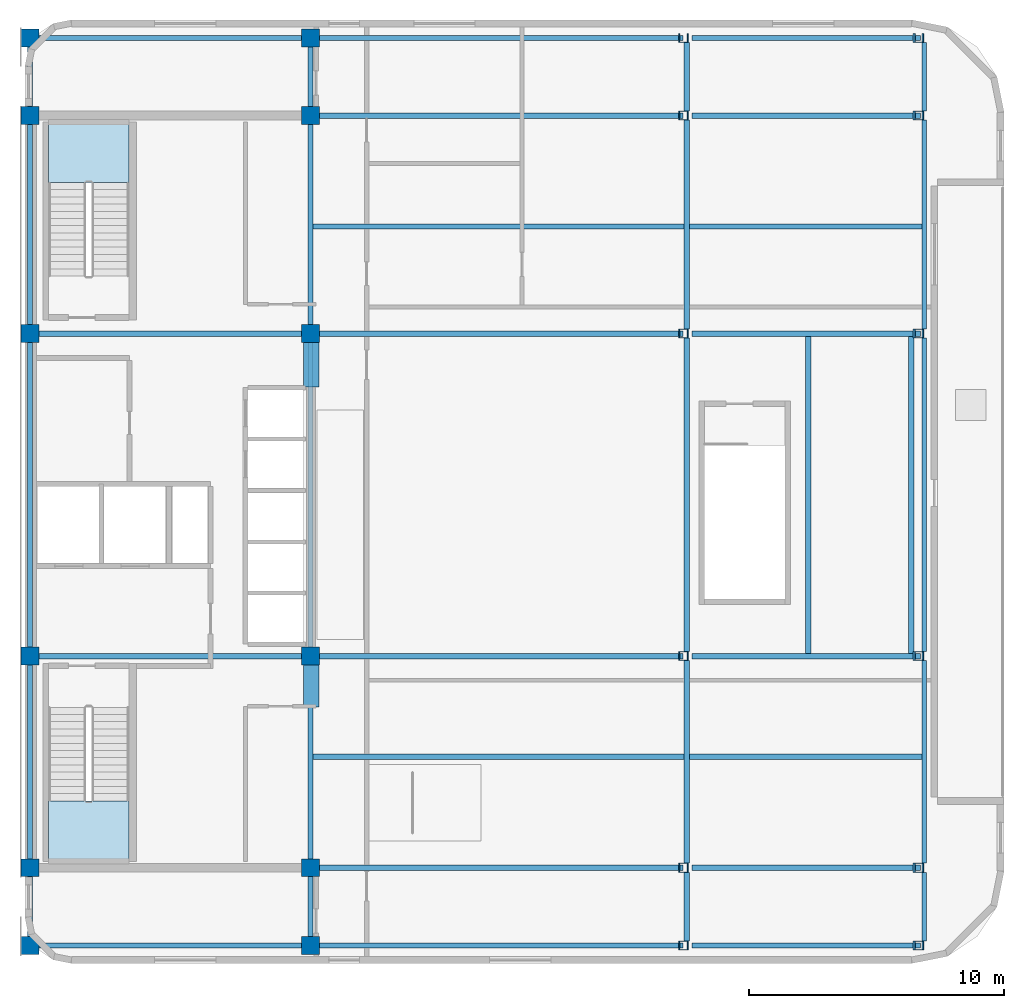
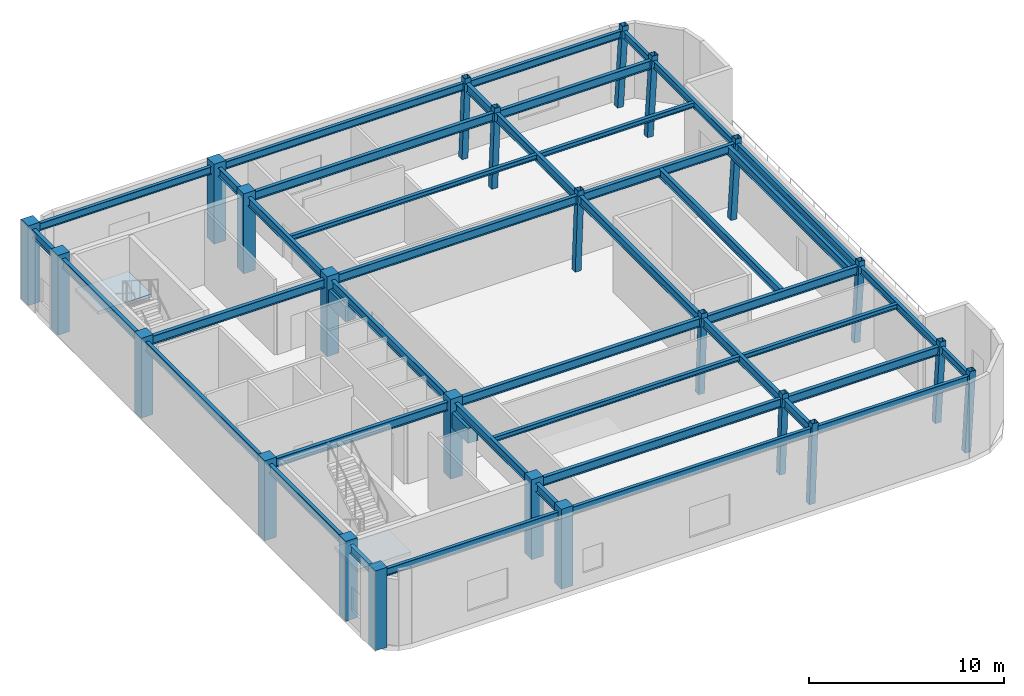
# One storey, part 1 of 6: 44 beams, 24 columns, 2 slabs, 2 elements without a shape of their own.
"""IFC4 building model written with IfcOpenShell, lengths in metres."""

from ifc_helpers import new_model, si_unit, direction, frame, origin, origin_2d, place, context, subcontext, project, spatial, polyline, rectangle, hollow_rectangle, i_section, outline, extrude, material, layer, layer_set, material_profile, profile_set, type_object, element, aggregate, save


model = new_model("IFC4")

# Units and contexts
model_context = context("Model", 3, precision=1e-05, world=origin(), true_north=direction((0.0, 1.0)))
body_context = subcontext(model_context, "Body", "Model", "MODEL_VIEW")
ifc_project = project(units=[si_unit("LENGTHUNIT", "METRE"), si_unit("AREAUNIT", "SQUARE_METRE"), si_unit("VOLUMEUNIT", "CUBIC_METRE"), si_unit("PLANEANGLEUNIT", "RADIAN"), si_unit("MASSUNIT", "GRAM", prefix="KILO")], contexts=[model_context])

# Site, building, storey
site_placement = place(None, origin())
site = spatial("IfcSite", under=ifc_project, at=site_placement, CompositionType="ELEMENT")
building_placement = place(site_placement, origin())
building = spatial("IfcBuilding", under=site, at=building_placement, Name="Ochreholt Gables", CompositionType="ELEMENT")
storey_placement = place(building_placement, frame((0.0, 0.0, 282.0)))
storey = spatial("IfcBuildingStorey", under=building, at=storey_placement, Name="L74", CompositionType="ELEMENT", Elevation=282.0)

# Columns
ifc_material_1 = material(Name="Steel CSA G40.21 350W", Category="steel")
ifc_material_profile_1 = material_profile(ifc_material_1, hollow_rectangle(XDim=0.35595703125, YDim=0.35595703125, WallThickness=0.01611328125, at=origin_2d()), Name="HSS356X356X16")
ifc_profile_set_1 = profile_set([ifc_material_profile_1], Name="Steel CSA G40.21 350W")
column_type_1 = type_object("IfcColumnType", Name="COL-HSS356-RAK", PredefinedType="COLUMN", material=ifc_profile_set_1)
for number, where, z_axis, x_axis, name in (
    (1, (49.805908203125, 9.25, 0.0), (0.034988329879, 0.0, 0.999387720943), (0.0, 1.0, 0.0), "L74 Column EMY2"),
    (2, (49.805908203125, 17.550048828125, 0.0), (0.034988329879, 0.0, 0.999387720943), (0.0, 1.0, 0.0), "L74 Column EMY3"),
    (3, (49.805908203125, 30.199951171875, 0.0), (0.034988329879, 0.0, 0.999387720943), (0.0, 1.0, 0.0), "L74 Column EMY4"),
    (4, (49.805908203125, 38.75, 0.0), (0.034988329879, 0.0, 0.999387720943), (0.0, 1.0, 0.0), "L74 Column EMY5"),
):
    element("IfcColumn", number, at=place(storey_placement, frame(where, z_axis=z_axis, x_axis=x_axis)), inside=storey, type_object=column_type_1, Name=name, PredefinedType="COLUMN", context=body_context, shape_type="SweptSolid", body=[
        extrude(hollow_rectangle(XDim=0.35595703125, YDim=0.35595703125, WallThickness=0.01611328125, at=origin_2d()), origin(), (0.0, 0.0, 1.0), 5.003173828125),
    ])
ifc_material_profile_2 = material_profile(ifc_material_1, hollow_rectangle(XDim=0.35595703125, YDim=0.35595703125, WallThickness=0.01611328125, at=origin_2d()), Name="HSS356X356X16")
ifc_profile_set_2 = profile_set([ifc_material_profile_2], Name="Steel CSA G40.21 350W")
column_type_2 = type_object("IfcColumnType", Name="COL-HSS356-RAKE", PredefinedType="COLUMN", material=ifc_profile_set_2)
for number, where, z_axis, x_axis, name in (
    (5, (49.805908203125, 6.199951171875, 0.0), (0.034988329879, 0.0, 0.999387720943), (0.0, 1.0, 0.0), "L74 Column EMY1"),
    (6, (49.805908203125, 41.800048828125, 0.0), (0.034988329879, 0.0, 0.999387720943), (0.0, 1.0, 0.0), "L74 Column EMY6"),
):
    element("IfcColumn", number, at=place(storey_placement, frame(where, z_axis=z_axis, x_axis=x_axis)), inside=storey, type_object=column_type_2, Name=name, PredefinedType="COLUMN", context=body_context, shape_type="SweptSolid", body=[
        extrude(hollow_rectangle(XDim=0.35595703125, YDim=0.35595703125, WallThickness=0.01611328125, at=origin_2d()), origin(), (0.0, 0.0, 1.0), 5.003173828125),
    ])
for number, where, z_axis, x_axis, name in (
    (7, (59.0126953125, 6.199951171875, 0.0), (0.057910462684, 0.0, 0.998321780946), (0.0, 1.0, 0.0), "L74 Column EEY1"),
    (8, (59.0126953125, 9.25, 0.0), (0.057910462684, 0.0, 0.998321780946), (0.0, 1.0, 0.0), "L74 Column EEY2"),
    (9, (59.0126953125, 17.550048828125, 0.0), (0.057910462684, 0.0, 0.998321780946), (0.0, 1.0, 0.0), "L74 Column EEY3"),
    (10, (59.0126953125, 30.199951171875, 0.0), (0.057910462684, 0.0, 0.998321780946), (0.0, 1.0, 0.0), "L74 Column EEY4"),
    (11, (59.0126953125, 38.75, 0.0), (0.057910462684, 0.0, 0.998321780946), (0.0, 1.0, 0.0), "L74 Column EEY5"),
    (12, (59.0126953125, 41.800048828125, 0.0), (0.057910462684, 0.0, 0.998321780946), (0.0, 1.0, 0.0), "L74 Column EEY6"),
):
    element("IfcColumn", number, at=place(storey_placement, frame(where, z_axis=z_axis, x_axis=x_axis)), inside=storey, type_object=column_type_2, Name=name, PredefinedType="COLUMN", context=body_context, shape_type="SweptSolid", body=[
        extrude(hollow_rectangle(XDim=0.35595703125, YDim=0.35595703125, WallThickness=0.01611328125, at=origin_2d()), origin(), (0.0, 0.0, 1.0), 5.00830078125),
    ])
ifc_material_2 = material(Name="Concrete 50 MPa", Category="concrete")
ifc_material_profile_3 = material_profile(ifc_material_2, rectangle(XDim=0.699951171875, YDim=0.699951171875, at=origin_2d()), Name="RC700X700")
ifc_profile_set_3 = profile_set([ifc_material_profile_3], Name="Concrete 50 MPa")
column_type_3 = type_object("IfcColumnType", Name="COL-RC700-EXT", PredefinedType="COLUMN", material=ifc_profile_set_3)
for number, where, z_axis, x_axis, name in (
    (13, (24.199951171875, 6.199951171875, 0.0), (0.0, 0.0, 1.0), (1.0, 0.0, 0.0), "L74 Column C1Y1"),
    (14, (24.199951171875, 9.25, 0.0), (0.0, 0.0, 1.0), (1.0, 0.0, 0.0), "L74 Column C1Y2"),
    (15, (24.199951171875, 17.550048828125, 0.0), (0.0, 0.0, 1.0), (1.0, 0.0, 0.0), "L74 Column C1Y3"),
    (16, (24.199951171875, 30.199951171875, 0.0), (0.0, 0.0, 1.0), (1.0, 0.0, 0.0), "L74 Column C1Y4"),
    (17, (24.199951171875, 38.75, 0.0), (0.0, 0.0, 1.0), (1.0, 0.0, 0.0), "L74 Column C1Y5"),
    (18, (24.199951171875, 41.800048828125, 0.0), (0.0, 0.0, 1.0), (1.0, 0.0, 0.0), "L74 Column C1Y6"),
    (19, (35.199951171875, 6.199951171875, 0.0), (0.0, 0.0, 1.0), (1.0, 0.0, 0.0), "L74 Column C2Y1"),
    (20, (35.199951171875, 41.800048828125, 0.0), (0.0, 0.0, 1.0), (1.0, 0.0, 0.0), "L74 Column C2Y6"),
):
    element("IfcColumn", number, at=place(storey_placement, frame(where, z_axis=z_axis, x_axis=x_axis)), inside=storey, type_object=column_type_3, Name=name, PredefinedType="COLUMN", context=body_context, shape_type="SweptSolid", body=[
        extrude(rectangle(XDim=0.699951171875, YDim=0.699951171875, at=origin_2d()), origin(), (0.0, 0.0, 1.0), 5.0),
    ])
ifc_material_profile_4 = material_profile(ifc_material_2, rectangle(XDim=0.699951171875, YDim=0.699951171875, at=origin_2d()), Name="RC700X700")
ifc_profile_set_4 = profile_set([ifc_material_profile_4], Name="Concrete 50 MPa")
column_type_4 = type_object("IfcColumnType", Name="COL-RC700-INT", PredefinedType="COLUMN", material=ifc_profile_set_4)
for number, where, z_axis, x_axis, name in (
    (21, (35.199951171875, 9.25, 0.0), (0.0, 0.0, 1.0), (1.0, 0.0, 0.0), "L74 Column C2Y2"),
    (22, (35.199951171875, 17.550048828125, 0.0), (0.0, 0.0, 1.0), (1.0, 0.0, 0.0), "L74 Column C2Y3"),
    (23, (35.199951171875, 30.199951171875, 0.0), (0.0, 0.0, 1.0), (1.0, 0.0, 0.0), "L74 Column C2Y4"),
    (24, (35.199951171875, 38.75, 0.0), (0.0, 0.0, 1.0), (1.0, 0.0, 0.0), "L74 Column C2Y5"),
):
    element("IfcColumn", number, at=place(storey_placement, frame(where, z_axis=z_axis, x_axis=x_axis)), inside=storey, type_object=column_type_4, Name=name, PredefinedType="COLUMN", context=body_context, shape_type="SweptSolid", body=[
        extrude(rectangle(XDim=0.699951171875, YDim=0.699951171875, at=origin_2d()), origin(), (0.0, 0.0, 1.0), 5.0),
    ])

# Beams
ifc_material_3 = material(Name="Concrete 60 MPa", Category="concrete")
ifc_material_profile_5 = material_profile(ifc_material_3, rectangle(XDim=0.60009765625, YDim=0.949951171875, at=origin_2d()), Name="RCB600X950")
ifc_profile_set_5 = profile_set([ifc_material_profile_5], Name="Concrete 60 MPa")
beam_type_1 = type_object("IfcBeamType", Name="BM-CPL-RC600", PredefinedType="LINTEL", material=ifc_profile_set_5)
beam_1_placement = place(storey_placement, frame((35.22509765625, 15.550048828125, 3.68603515625), z_axis=(0.0, 1.0, 0.0), x_axis=(-1.0, 0.0, 0.0)))
element("IfcBeam", 25, at=beam_1_placement, inside=storey, type_object=beam_type_1, Name="L74 Core Coupling Lintel CPS", PredefinedType="LINTEL", context=body_context, shape_type="SweptSolid", body=[
    extrude(rectangle(XDim=0.60009765625, YDim=0.949951171875, at=origin_2d()), origin(), (0.0, 0.0, 1.0), 1.64990234375),
])
beam_2_placement = place(storey_placement, frame((35.22509765625, 28.10009765625, 3.68603515625), z_axis=(0.0, 1.0, 0.0), x_axis=(-1.0, 0.0, 0.0)))
element("IfcBeam", 26, at=beam_2_placement, inside=storey, type_object=beam_type_1, Name="L74 Core Coupling Lintel CPN", PredefinedType="LINTEL", context=body_context, shape_type="SweptSolid", body=[
    extrude(rectangle(XDim=0.60009765625, YDim=0.949951171875, at=origin_2d()), origin(), (0.0, 0.0, 1.0), 1.75),
])
ifc_material_profile_6 = material_profile(ifc_material_1, i_section(OverallWidth=0.2109375, OverallDepth=0.5390625, WebThickness=0.01171875, FlangeThickness=0.018798828125, at=origin_2d()), Name="W530X109")
ifc_profile_set_6 = profile_set([ifc_material_profile_6], Name="Steel CSA G40.21 350W")
beam_type_2 = type_object("IfcBeamType", Name="BM-G-W530A", PredefinedType="BEAM", material=ifc_profile_set_6)
beam_3_placement = place(storey_placement, frame((35.549560546875, 9.25, 4.430419921875), z_axis=(1.0, 0.0, 0.0), x_axis=(0.0, 1.0, 0.0)))
element("IfcBeam", 27, at=beam_3_placement, inside=storey, type_object=beam_type_2, Name="L74 Beam TBG-L74-C2EM-Y2", PredefinedType="BEAM", context=body_context, shape_type="SweptSolid", body=[
    extrude(i_section(OverallWidth=0.2109375, OverallDepth=0.5390625, WebThickness=0.01171875, FlangeThickness=0.018798828125, at=origin_2d()), origin(), (0.0, 0.0, 1.0), 14.25390625),
])
beam_4_placement = place(storey_placement, frame((50.15869140625, 9.25, 4.430419921875), z_axis=(1.0, 0.0, 0.0), x_axis=(0.0, 1.0, 0.0)))
element("IfcBeam", 28, at=beam_4_placement, inside=storey, type_object=beam_type_2, Name="L74 Beam TBG-L74-EMEE-Y2", PredefinedType="BEAM", context=body_context, shape_type="SweptSolid", body=[
    extrude(i_section(OverallWidth=0.2109375, OverallDepth=0.5390625, WebThickness=0.01171875, FlangeThickness=0.018798828125, at=origin_2d()), origin(), (0.0, 0.0, 1.0), 8.966552734375),
])
beam_5_placement = place(storey_placement, frame((24.549560546875, 17.550048828125, 4.430419921875), z_axis=(1.0, 0.0, 0.0), x_axis=(0.0, 1.0, 0.0)))
element("IfcBeam", 29, at=beam_5_placement, inside=storey, type_object=beam_type_2, Name="L74 Beam TBG-L74-C1C2-Y3", PredefinedType="BEAM", context=body_context, shape_type="SweptSolid", body=[
    extrude(i_section(OverallWidth=0.2109375, OverallDepth=0.5390625, WebThickness=0.01171875, FlangeThickness=0.018798828125, at=origin_2d()), origin(), (0.0, 0.0, 1.0), 10.30078125),
])
beam_6_placement = place(storey_placement, frame((35.549560546875, 17.550048828125, 4.430419921875), z_axis=(1.0, 0.0, 0.0), x_axis=(0.0, 1.0, 0.0)))
element("IfcBeam", 30, at=beam_6_placement, inside=storey, type_object=beam_type_2, Name="L74 Beam TBG-L74-C2EM-Y3", PredefinedType="BEAM", context=body_context, shape_type="SweptSolid", body=[
    extrude(i_section(OverallWidth=0.2109375, OverallDepth=0.5390625, WebThickness=0.01171875, FlangeThickness=0.018798828125, at=origin_2d()), origin(), (0.0, 0.0, 1.0), 14.25390625),
])
beam_7_placement = place(storey_placement, frame((50.15869140625, 17.550048828125, 4.430419921875), z_axis=(1.0, 0.0, 0.0), x_axis=(0.0, 1.0, 0.0)))
element("IfcBeam", 31, at=beam_7_placement, inside=storey, type_object=beam_type_2, Name="L74 Beam TBG-L74-EMEE-Y3", PredefinedType="BEAM", context=body_context, shape_type="SweptSolid", body=[
    extrude(i_section(OverallWidth=0.2109375, OverallDepth=0.5390625, WebThickness=0.01171875, FlangeThickness=0.018798828125, at=origin_2d()), origin(), (0.0, 0.0, 1.0), 8.966552734375),
])
beam_8_placement = place(storey_placement, frame((24.549560546875, 30.199951171875, 4.430419921875), z_axis=(1.0, 0.0, 0.0), x_axis=(0.0, 1.0, 0.0)))
element("IfcBeam", 32, at=beam_8_placement, inside=storey, type_object=beam_type_2, Name="L74 Beam TBG-L74-C1C2-Y4", PredefinedType="BEAM", context=body_context, shape_type="SweptSolid", body=[
    extrude(i_section(OverallWidth=0.2109375, OverallDepth=0.5390625, WebThickness=0.01171875, FlangeThickness=0.018798828125, at=origin_2d()), origin(), (0.0, 0.0, 1.0), 10.30078125),
])
beam_9_placement = place(storey_placement, frame((35.549560546875, 30.199951171875, 4.430419921875), z_axis=(1.0, 0.0, 0.0), x_axis=(0.0, 1.0, 0.0)))
element("IfcBeam", 33, at=beam_9_placement, inside=storey, type_object=beam_type_2, Name="L74 Beam TBG-L74-C2EM-Y4", PredefinedType="BEAM", context=body_context, shape_type="SweptSolid", body=[
    extrude(i_section(OverallWidth=0.2109375, OverallDepth=0.5390625, WebThickness=0.01171875, FlangeThickness=0.018798828125, at=origin_2d()), origin(), (0.0, 0.0, 1.0), 14.25390625),
])
beam_10_placement = place(storey_placement, frame((50.15869140625, 30.199951171875, 4.430419921875), z_axis=(1.0, 0.0, 0.0), x_axis=(0.0, 1.0, 0.0)))
element("IfcBeam", 34, at=beam_10_placement, inside=storey, type_object=beam_type_2, Name="L74 Beam TBG-L74-EMEE-Y4", PredefinedType="BEAM", context=body_context, shape_type="SweptSolid", body=[
    extrude(i_section(OverallWidth=0.2109375, OverallDepth=0.5390625, WebThickness=0.01171875, FlangeThickness=0.018798828125, at=origin_2d()), origin(), (0.0, 0.0, 1.0), 8.966552734375),
])
beam_11_placement = place(storey_placement, frame((35.549560546875, 38.75, 4.430419921875), z_axis=(1.0, 0.0, 0.0), x_axis=(0.0, 1.0, 0.0)))
element("IfcBeam", 35, at=beam_11_placement, inside=storey, type_object=beam_type_2, Name="L74 Beam TBG-L74-C2EM-Y5", PredefinedType="BEAM", context=body_context, shape_type="SweptSolid", body=[
    extrude(i_section(OverallWidth=0.2109375, OverallDepth=0.5390625, WebThickness=0.01171875, FlangeThickness=0.018798828125, at=origin_2d()), origin(), (0.0, 0.0, 1.0), 14.25390625),
])
beam_12_placement = place(storey_placement, frame((50.15869140625, 38.75, 4.430419921875), z_axis=(1.0, 0.0, 0.0), x_axis=(0.0, 1.0, 0.0)))
element("IfcBeam", 36, at=beam_12_placement, inside=storey, type_object=beam_type_2, Name="L74 Beam TBG-L74-EMEE-Y5", PredefinedType="BEAM", context=body_context, shape_type="SweptSolid", body=[
    extrude(i_section(OverallWidth=0.2109375, OverallDepth=0.5390625, WebThickness=0.01171875, FlangeThickness=0.018798828125, at=origin_2d()), origin(), (0.0, 0.0, 1.0), 8.966552734375),
])
beam_13_placement = place(storey_placement, frame((24.199951171875, 6.549560546875, 4.430419921875), z_axis=(0.0, 1.0, 0.0), x_axis=(-1.0, 0.0, 0.0)))
element("IfcBeam", 37, at=beam_13_placement, inside=storey, type_object=beam_type_2, Name="L74 Beam TBN-L74-C1-Y1Y2", PredefinedType="BEAM", context=body_context, shape_type="SweptSolid", body=[
    extrude(i_section(OverallWidth=0.2109375, OverallDepth=0.5390625, WebThickness=0.01171875, FlangeThickness=0.018798828125, at=origin_2d()), origin(), (0.0, 0.0, 1.0), 2.350830078125),
])
beam_14_placement = place(storey_placement, frame((24.199951171875, 9.599609375, 4.430419921875), z_axis=(0.0, 1.0, 0.0), x_axis=(-1.0, 0.0, 0.0)))
element("IfcBeam", 38, at=beam_14_placement, inside=storey, type_object=beam_type_2, Name="L74 Beam TBN-L74-C1-Y2Y3", PredefinedType="BEAM", context=body_context, shape_type="SweptSolid", body=[
    extrude(i_section(OverallWidth=0.2109375, OverallDepth=0.5390625, WebThickness=0.01171875, FlangeThickness=0.018798828125, at=origin_2d()), origin(), (0.0, 0.0, 1.0), 7.600830078125),
])
beam_15_placement = place(storey_placement, frame((24.199951171875, 17.899658203125, 4.430419921875), z_axis=(0.0, 1.0, 0.0), x_axis=(-1.0, 0.0, 0.0)))
element("IfcBeam", 39, at=beam_15_placement, inside=storey, type_object=beam_type_2, Name="L74 Beam TBN-L74-C1-Y3Y4", PredefinedType="BEAM", context=body_context, shape_type="SweptSolid", body=[
    extrude(i_section(OverallWidth=0.2109375, OverallDepth=0.5390625, WebThickness=0.01171875, FlangeThickness=0.018798828125, at=origin_2d()), origin(), (0.0, 0.0, 1.0), 11.95068359375),
])
beam_16_placement = place(storey_placement, frame((24.199951171875, 30.549560546875, 4.430419921875), z_axis=(0.0, 1.0, 0.0), x_axis=(-1.0, 0.0, 0.0)))
element("IfcBeam", 40, at=beam_16_placement, inside=storey, type_object=beam_type_2, Name="L74 Beam TBN-L74-C1-Y4Y5", PredefinedType="BEAM", context=body_context, shape_type="SweptSolid", body=[
    extrude(i_section(OverallWidth=0.2109375, OverallDepth=0.5390625, WebThickness=0.01171875, FlangeThickness=0.018798828125, at=origin_2d()), origin(), (0.0, 0.0, 1.0), 7.850830078125),
])
for number, where, z_axis, x_axis, name in (
    (41, (24.199951171875, 39.099609375, 4.430419921875), (0.0, 1.0, 0.0), (-1.0, 0.0, 0.0), "L74 Beam TBN-L74-C1-Y5Y6"),
    (42, (35.199951171875, 6.549560546875, 4.430419921875), (0.0, 1.0, 0.0), (-1.0, 0.0, 0.0), "L74 Beam TBN-L74-C2-Y1Y2"),
):
    element("IfcBeam", number, at=place(storey_placement, frame(where, z_axis=z_axis, x_axis=x_axis)), inside=storey, type_object=beam_type_2, Name=name, PredefinedType="BEAM", context=body_context, shape_type="SweptSolid", body=[
        extrude(i_section(OverallWidth=0.2109375, OverallDepth=0.5390625, WebThickness=0.01171875, FlangeThickness=0.018798828125, at=origin_2d()), origin(), (0.0, 0.0, 1.0), 2.350830078125),
    ])
beam_17_placement = place(storey_placement, frame((35.199951171875, 9.599609375, 4.430419921875), z_axis=(0.0, 1.0, 0.0), x_axis=(-1.0, 0.0, 0.0)))
element("IfcBeam", 43, at=beam_17_placement, inside=storey, type_object=beam_type_2, Name="L74 Beam TBN-L74-C2-Y2Y3", PredefinedType="BEAM", context=body_context, shape_type="SweptSolid", body=[
    extrude(i_section(OverallWidth=0.2109375, OverallDepth=0.5390625, WebThickness=0.01171875, FlangeThickness=0.018798828125, at=origin_2d()), origin(), (0.0, 0.0, 1.0), 7.600830078125),
])
beam_18_placement = place(storey_placement, frame((35.199951171875, 17.899658203125, 4.430419921875), z_axis=(0.0, 1.0, 0.0), x_axis=(-1.0, 0.0, 0.0)))
element("IfcBeam", 44, at=beam_18_placement, inside=storey, type_object=beam_type_2, Name="L74 Beam TBN-L74-C2-Y3Y4", PredefinedType="BEAM", context=body_context, shape_type="SweptSolid", body=[
    extrude(i_section(OverallWidth=0.2109375, OverallDepth=0.5390625, WebThickness=0.01171875, FlangeThickness=0.018798828125, at=origin_2d()), origin(), (0.0, 0.0, 1.0), 11.95068359375),
])
beam_19_placement = place(storey_placement, frame((35.199951171875, 30.549560546875, 4.430419921875), z_axis=(0.0, 1.0, 0.0), x_axis=(-1.0, 0.0, 0.0)))
element("IfcBeam", 45, at=beam_19_placement, inside=storey, type_object=beam_type_2, Name="L74 Beam TBN-L74-C2-Y4Y5", PredefinedType="BEAM", context=body_context, shape_type="SweptSolid", body=[
    extrude(i_section(OverallWidth=0.2109375, OverallDepth=0.5390625, WebThickness=0.01171875, FlangeThickness=0.018798828125, at=origin_2d()), origin(), (0.0, 0.0, 1.0), 7.850830078125),
])
beam_20_placement = place(storey_placement, frame((35.199951171875, 39.099609375, 4.430419921875), z_axis=(0.0, 1.0, 0.0), x_axis=(-1.0, 0.0, 0.0)))
element("IfcBeam", 46, at=beam_20_placement, inside=storey, type_object=beam_type_2, Name="L74 Beam TBN-L74-C2-Y5Y6", PredefinedType="BEAM", context=body_context, shape_type="SweptSolid", body=[
    extrude(i_section(OverallWidth=0.2109375, OverallDepth=0.5390625, WebThickness=0.01171875, FlangeThickness=0.018798828125, at=origin_2d()), origin(), (0.0, 0.0, 1.0), 2.350830078125),
])
beam_21_placement = place(storey_placement, frame((49.9619140625, 6.377685546875, 4.430419921875), z_axis=(0.0, 1.0, 0.0), x_axis=(-1.0, 0.0, 0.0)))
element("IfcBeam", 47, at=beam_21_placement, inside=storey, type_object=beam_type_2, Name="L74 Beam TBN-L74-EM-Y1Y2", PredefinedType="BEAM", context=body_context, shape_type="SweptSolid", body=[
    extrude(i_section(OverallWidth=0.2109375, OverallDepth=0.5390625, WebThickness=0.01171875, FlangeThickness=0.018798828125, at=origin_2d()), origin(), (0.0, 0.0, 1.0), 2.69482421875),
])
beam_22_placement = place(storey_placement, frame((49.9619140625, 9.427490234375, 4.430419921875), z_axis=(0.0, 1.0, 0.0), x_axis=(-1.0, 0.0, 0.0)))
element("IfcBeam", 48, at=beam_22_placement, inside=storey, type_object=beam_type_2, Name="L74 Beam TBN-L74-EM-Y2Y3", PredefinedType="BEAM", context=body_context, shape_type="SweptSolid", body=[
    extrude(i_section(OverallWidth=0.2109375, OverallDepth=0.5390625, WebThickness=0.01171875, FlangeThickness=0.018798828125, at=origin_2d()), origin(), (0.0, 0.0, 1.0), 7.94482421875),
])
beam_23_placement = place(storey_placement, frame((49.9619140625, 17.7275390625, 4.430419921875), z_axis=(0.0, 1.0, 0.0), x_axis=(-1.0, 0.0, 0.0)))
element("IfcBeam", 49, at=beam_23_placement, inside=storey, type_object=beam_type_2, Name="L74 Beam TBN-L74-EM-Y3Y4", PredefinedType="BEAM", context=body_context, shape_type="SweptSolid", body=[
    extrude(i_section(OverallWidth=0.2109375, OverallDepth=0.5390625, WebThickness=0.01171875, FlangeThickness=0.018798828125, at=origin_2d()), origin(), (0.0, 0.0, 1.0), 12.294921875),
])
beam_24_placement = place(storey_placement, frame((49.9619140625, 30.377685546875, 4.430419921875), z_axis=(0.0, 1.0, 0.0), x_axis=(-1.0, 0.0, 0.0)))
element("IfcBeam", 50, at=beam_24_placement, inside=storey, type_object=beam_type_2, Name="L74 Beam TBN-L74-EM-Y4Y5", PredefinedType="BEAM", context=body_context, shape_type="SweptSolid", body=[
    extrude(i_section(OverallWidth=0.2109375, OverallDepth=0.5390625, WebThickness=0.01171875, FlangeThickness=0.018798828125, at=origin_2d()), origin(), (0.0, 0.0, 1.0), 8.19482421875),
])
beam_25_placement = place(storey_placement, frame((49.9619140625, 38.927490234375, 4.430419921875), z_axis=(0.0, 1.0, 0.0), x_axis=(-1.0, 0.0, 0.0)))
element("IfcBeam", 51, at=beam_25_placement, inside=storey, type_object=beam_type_2, Name="L74 Beam TBN-L74-EM-Y5Y6", PredefinedType="BEAM", context=body_context, shape_type="SweptSolid", body=[
    extrude(i_section(OverallWidth=0.2109375, OverallDepth=0.5390625, WebThickness=0.01171875, FlangeThickness=0.018798828125, at=origin_2d()), origin(), (0.0, 0.0, 1.0), 2.69482421875),
])
for number, where, z_axis, x_axis, name in (
    (52, (54.719970703125, 17.655029296875, 4.430419921875), (0.0, 1.0, 0.0), (-1.0, 0.0, 0.0), "L74 Beam BTG-L74-CRNW"),
    (53, (58.760009765625, 17.655029296875, 4.430419921875), (0.0, 1.0, 0.0), (-1.0, 0.0, 0.0), "L74 Beam BTG-L74-CRNE"),
):
    element("IfcBeam", number, at=place(storey_placement, frame(where, z_axis=z_axis, x_axis=x_axis)), inside=storey, type_object=beam_type_2, Name=name, PredefinedType="BEAM", context=body_context, shape_type="SweptSolid", body=[
        extrude(i_section(OverallWidth=0.2109375, OverallDepth=0.5390625, WebThickness=0.01171875, FlangeThickness=0.018798828125, at=origin_2d()), origin(), (0.0, 0.0, 1.0), 12.43994140625),
    ])
ifc_material_profile_7 = material_profile(ifc_material_1, i_section(OverallWidth=0.202880859375, OverallDepth=0.302978515625, WebThickness=0.007568359375, FlangeThickness=0.01318359375, at=origin_2d()), Name="W310X60")
ifc_profile_set_7 = profile_set([ifc_material_profile_7], Name="Steel CSA G40.21 350W")
beam_type_3 = type_object("IfcBeamType", Name="BM-J-W310", PredefinedType="JOIST", material=ifc_profile_set_7)
beam_26_placement = place(storey_placement, frame((35.30517578125, 13.60009765625, 4.548583984375), z_axis=(1.0, 0.0, 0.0), x_axis=(0.0, 1.0, 0.0)))
element("IfcBeam", 54, at=beam_26_placement, inside=storey, type_object=beam_type_3, Name="L74 Beam TBJ-L74-J1-C2EM", PredefinedType="JOIST", context=body_context, shape_type="SweptSolid", body=[
    extrude(i_section(OverallWidth=0.202880859375, OverallDepth=0.302978515625, WebThickness=0.007568359375, FlangeThickness=0.01318359375, at=origin_2d()), origin(), (0.0, 0.0, 1.0), 14.551513671875),
])
beam_27_placement = place(storey_placement, frame((50.06689453125, 13.60009765625, 4.548583984375), z_axis=(1.0, 0.0, 0.0), x_axis=(0.0, 1.0, 0.0)))
element("IfcBeam", 55, at=beam_27_placement, inside=storey, type_object=beam_type_3, Name="L74 Beam TBJ-L74-J1-EMEE", PredefinedType="JOIST", context=body_context, shape_type="SweptSolid", body=[
    extrude(i_section(OverallWidth=0.202880859375, OverallDepth=0.302978515625, WebThickness=0.007568359375, FlangeThickness=0.01318359375, at=origin_2d()), origin(), (0.0, 0.0, 1.0), 9.1083984375),
])
beam_28_placement = place(storey_placement, frame((35.30517578125, 34.39990234375, 4.548583984375), z_axis=(1.0, 0.0, 0.0), x_axis=(0.0, 1.0, 0.0)))
element("IfcBeam", 56, at=beam_28_placement, inside=storey, type_object=beam_type_3, Name="L74 Beam TBJ-L74-J2-C2EM", PredefinedType="JOIST", context=body_context, shape_type="SweptSolid", body=[
    extrude(i_section(OverallWidth=0.202880859375, OverallDepth=0.302978515625, WebThickness=0.007568359375, FlangeThickness=0.01318359375, at=origin_2d()), origin(), (0.0, 0.0, 1.0), 14.551513671875),
])
beam_29_placement = place(storey_placement, frame((50.06689453125, 34.39990234375, 4.548583984375), z_axis=(1.0, 0.0, 0.0), x_axis=(0.0, 1.0, 0.0)))
element("IfcBeam", 57, at=beam_29_placement, inside=storey, type_object=beam_type_3, Name="L74 Beam TBJ-L74-J2-EMEE", PredefinedType="JOIST", context=body_context, shape_type="SweptSolid", body=[
    extrude(i_section(OverallWidth=0.202880859375, OverallDepth=0.302978515625, WebThickness=0.007568359375, FlangeThickness=0.01318359375, at=origin_2d()), origin(), (0.0, 0.0, 1.0), 9.1083984375),
])
ifc_material_profile_8 = material_profile(ifc_material_1, i_section(OverallWidth=0.19189453125, OverallDepth=0.462890625, WebThickness=0.010498046875, FlangeThickness=0.017578125, at=origin_2d()), Name="W460X89")
ifc_profile_set_8 = profile_set([ifc_material_profile_8], Name="Steel CSA G40.21 350W")
beam_type_4 = type_object("IfcBeamType", Name="BM-SP-W460A", PredefinedType="SPANDREL", material=ifc_profile_set_8)
beam_30_placement = place(storey_placement, frame((24.549560546875, 6.199951171875, 4.468505859375), z_axis=(1.0, 0.0, 0.0), x_axis=(0.0, 1.0, 0.0)))
element("IfcBeam", 58, at=beam_30_placement, inside=storey, type_object=beam_type_4, Name="L74 Beam TBG-L74-C1C2-Y1", PredefinedType="SPANDREL", context=body_context, shape_type="SweptSolid", body=[
    extrude(i_section(OverallWidth=0.19189453125, OverallDepth=0.462890625, WebThickness=0.010498046875, FlangeThickness=0.017578125, at=origin_2d()), origin(), (0.0, 0.0, 1.0), 10.30078125),
])
beam_31_placement = place(storey_placement, frame((35.549560546875, 6.199951171875, 4.468505859375), z_axis=(1.0, 0.0, 0.0), x_axis=(0.0, 1.0, 0.0)))
element("IfcBeam", 59, at=beam_31_placement, inside=storey, type_object=beam_type_4, Name="L74 Beam TBG-L74-C2EM-Y1", PredefinedType="SPANDREL", context=body_context, shape_type="SweptSolid", body=[
    extrude(i_section(OverallWidth=0.19189453125, OverallDepth=0.462890625, WebThickness=0.010498046875, FlangeThickness=0.017578125, at=origin_2d()), origin(), (0.0, 0.0, 1.0), 14.25390625),
])
beam_32_placement = place(storey_placement, frame((50.15869140625, 6.199951171875, 4.468505859375), z_axis=(1.0, 0.0, 0.0), x_axis=(0.0, 1.0, 0.0)))
element("IfcBeam", 60, at=beam_32_placement, inside=storey, type_object=beam_type_4, Name="L74 Beam TBG-L74-EMEE-Y1", PredefinedType="SPANDREL", context=body_context, shape_type="SweptSolid", body=[
    extrude(i_section(OverallWidth=0.19189453125, OverallDepth=0.462890625, WebThickness=0.010498046875, FlangeThickness=0.017578125, at=origin_2d()), origin(), (0.0, 0.0, 1.0), 8.966552734375),
])
beam_33_placement = place(storey_placement, frame((24.549560546875, 41.800048828125, 4.468505859375), z_axis=(1.0, 0.0, 0.0), x_axis=(0.0, 1.0, 0.0)))
element("IfcBeam", 61, at=beam_33_placement, inside=storey, type_object=beam_type_4, Name="L74 Beam TBG-L74-C1C2-Y6", PredefinedType="SPANDREL", context=body_context, shape_type="SweptSolid", body=[
    extrude(i_section(OverallWidth=0.19189453125, OverallDepth=0.462890625, WebThickness=0.010498046875, FlangeThickness=0.017578125, at=origin_2d()), origin(), (0.0, 0.0, 1.0), 10.30078125),
])
beam_34_placement = place(storey_placement, frame((35.549560546875, 41.800048828125, 4.468505859375), z_axis=(1.0, 0.0, 0.0), x_axis=(0.0, 1.0, 0.0)))
element("IfcBeam", 62, at=beam_34_placement, inside=storey, type_object=beam_type_4, Name="L74 Beam TBG-L74-C2EM-Y6", PredefinedType="SPANDREL", context=body_context, shape_type="SweptSolid", body=[
    extrude(i_section(OverallWidth=0.19189453125, OverallDepth=0.462890625, WebThickness=0.010498046875, FlangeThickness=0.017578125, at=origin_2d()), origin(), (0.0, 0.0, 1.0), 14.25390625),
])
beam_35_placement = place(storey_placement, frame((50.15869140625, 41.800048828125, 4.468505859375), z_axis=(1.0, 0.0, 0.0), x_axis=(0.0, 1.0, 0.0)))
element("IfcBeam", 63, at=beam_35_placement, inside=storey, type_object=beam_type_4, Name="L74 Beam TBG-L74-EMEE-Y6", PredefinedType="SPANDREL", context=body_context, shape_type="SweptSolid", body=[
    extrude(i_section(OverallWidth=0.19189453125, OverallDepth=0.462890625, WebThickness=0.010498046875, FlangeThickness=0.017578125, at=origin_2d()), origin(), (0.0, 0.0, 1.0), 8.966552734375),
])
beam_36_placement = place(storey_placement, frame((59.27099609375, 6.377685546875, 4.468505859375), z_axis=(0.0, 1.0, 0.0), x_axis=(-1.0, 0.0, 0.0)))
element("IfcBeam", 64, at=beam_36_placement, inside=storey, type_object=beam_type_4, Name="L74 Beam TBN-L74-EE-Y1Y2", PredefinedType="SPANDREL", context=body_context, shape_type="SweptSolid", body=[
    extrude(i_section(OverallWidth=0.19189453125, OverallDepth=0.462890625, WebThickness=0.010498046875, FlangeThickness=0.017578125, at=origin_2d()), origin(), (0.0, 0.0, 1.0), 2.69482421875),
])
beam_37_placement = place(storey_placement, frame((59.27099609375, 9.427490234375, 4.468505859375), z_axis=(0.0, 1.0, 0.0), x_axis=(-1.0, 0.0, 0.0)))
element("IfcBeam", 65, at=beam_37_placement, inside=storey, type_object=beam_type_4, Name="L74 Beam TBN-L74-EE-Y2Y3", PredefinedType="SPANDREL", context=body_context, shape_type="SweptSolid", body=[
    extrude(i_section(OverallWidth=0.19189453125, OverallDepth=0.462890625, WebThickness=0.010498046875, FlangeThickness=0.017578125, at=origin_2d()), origin(), (0.0, 0.0, 1.0), 7.94482421875),
])
beam_38_placement = place(storey_placement, frame((59.27099609375, 17.7275390625, 4.468505859375), z_axis=(0.0, 1.0, 0.0), x_axis=(-1.0, 0.0, 0.0)))
element("IfcBeam", 66, at=beam_38_placement, inside=storey, type_object=beam_type_4, Name="L74 Beam TBN-L74-EE-Y3Y4", PredefinedType="SPANDREL", context=body_context, shape_type="SweptSolid", body=[
    extrude(i_section(OverallWidth=0.19189453125, OverallDepth=0.462890625, WebThickness=0.010498046875, FlangeThickness=0.017578125, at=origin_2d()), origin(), (0.0, 0.0, 1.0), 12.294921875),
])
beam_39_placement = place(storey_placement, frame((59.27099609375, 30.377685546875, 4.468505859375), z_axis=(0.0, 1.0, 0.0), x_axis=(-1.0, 0.0, 0.0)))
element("IfcBeam", 67, at=beam_39_placement, inside=storey, type_object=beam_type_4, Name="L74 Beam TBN-L74-EE-Y4Y5", PredefinedType="SPANDREL", context=body_context, shape_type="SweptSolid", body=[
    extrude(i_section(OverallWidth=0.19189453125, OverallDepth=0.462890625, WebThickness=0.010498046875, FlangeThickness=0.017578125, at=origin_2d()), origin(), (0.0, 0.0, 1.0), 8.19482421875),
])
beam_40_placement = place(storey_placement, frame((59.27099609375, 38.927490234375, 4.468505859375), z_axis=(0.0, 1.0, 0.0), x_axis=(-1.0, 0.0, 0.0)))
element("IfcBeam", 68, at=beam_40_placement, inside=storey, type_object=beam_type_4, Name="L74 Beam TBN-L74-EE-Y5Y6", PredefinedType="SPANDREL", context=body_context, shape_type="SweptSolid", body=[
    extrude(i_section(OverallWidth=0.19189453125, OverallDepth=0.462890625, WebThickness=0.010498046875, FlangeThickness=0.017578125, at=origin_2d()), origin(), (0.0, 0.0, 1.0), 2.69482421875),
])

# Stair, slab
ifc_material_4 = material(Name="Concrete 40 MPa", Category="concrete")
stair_type_1 = type_object("IfcStairType", Name="STAIR-CORE-ST-1", PredefinedType="HALF_TURN_STAIR", material=ifc_material_4)
stair_1_placement = place(storey_placement, origin())
stair_1 = element("IfcStair", 69, at=stair_1_placement, inside=storey, type_object=stair_type_1, Name="L74 Core Exit Stair 1", PredefinedType="HALF_TURN_STAIR")
ifc_layer = layer(ifc_material_4, 0.199951171875, Name="Concrete 40 MPa")
ifc_layer_set = layer_set([ifc_layer], Name="Concrete 40 MPa")
slab_type = type_object("IfcSlabType", Name="LANDING-RC200", PredefinedType="LANDING", material=ifc_layer_set)
slab_1_placement = place(storey_placement, frame((0.0, 0.0, 2.300048828125)))
slab_1 = element("IfcSlab", 70, at=slab_1_placement, type_object=slab_type, Name="ST-1 landing 1", PredefinedType="LANDING", context=body_context, shape_type="SweptSolid", body=[
    extrude(outline(polyline([(24.919921875, 11.8740234375), (24.919921875, 9.52001953125), (28.080078125, 9.52001953125), (28.080078125, 11.8740234375), (24.919921875, 11.8740234375)])), origin(), (0.0, 0.0, 1.0), 0.199951171875),
])
aggregate(stair_1, [slab_1])

stair_type_2 = type_object("IfcStairType", Name="STAIR-CORE-ST-2", PredefinedType="HALF_TURN_STAIR", material=ifc_material_4)
stair_2_placement = place(storey_placement, origin())
stair_2 = element("IfcStair", 71, at=stair_2_placement, inside=storey, type_object=stair_type_2, Name="L74 Core Exit Stair 2", PredefinedType="HALF_TURN_STAIR")
slab_2_placement = place(storey_placement, frame((0.0, 0.0, 2.300048828125)))
slab_2 = element("IfcSlab", 72, at=slab_2_placement, type_object=slab_type, Name="ST-2 landing 1", PredefinedType="LANDING", context=body_context, shape_type="SweptSolid", body=[
    extrude(outline(polyline([(28.080078125, 36.1259765625), (28.080078125, 38.47998046875), (24.919921875, 38.47998046875), (24.919921875, 36.1259765625), (28.080078125, 36.1259765625)])), origin(), (0.0, 0.0, 1.0), 0.199951171875),
])
aggregate(stair_2, [slab_2])

save(model, "model.ifc")
